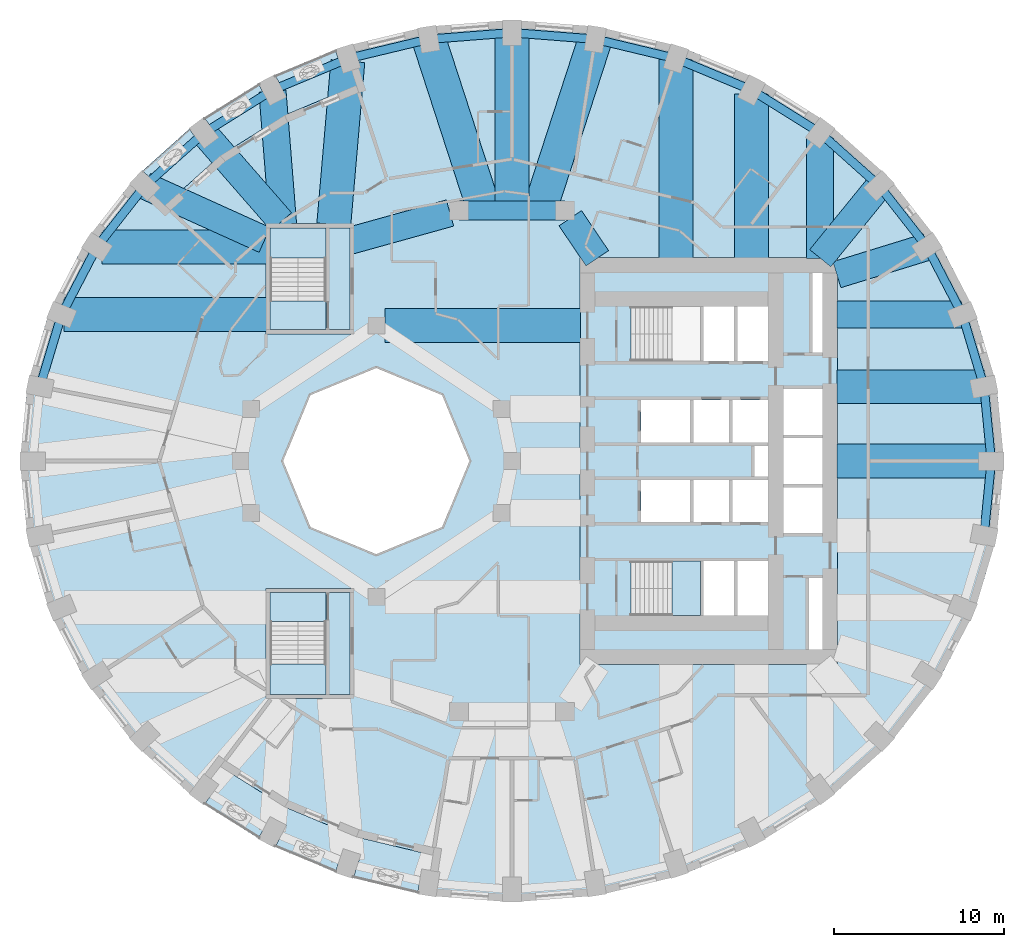
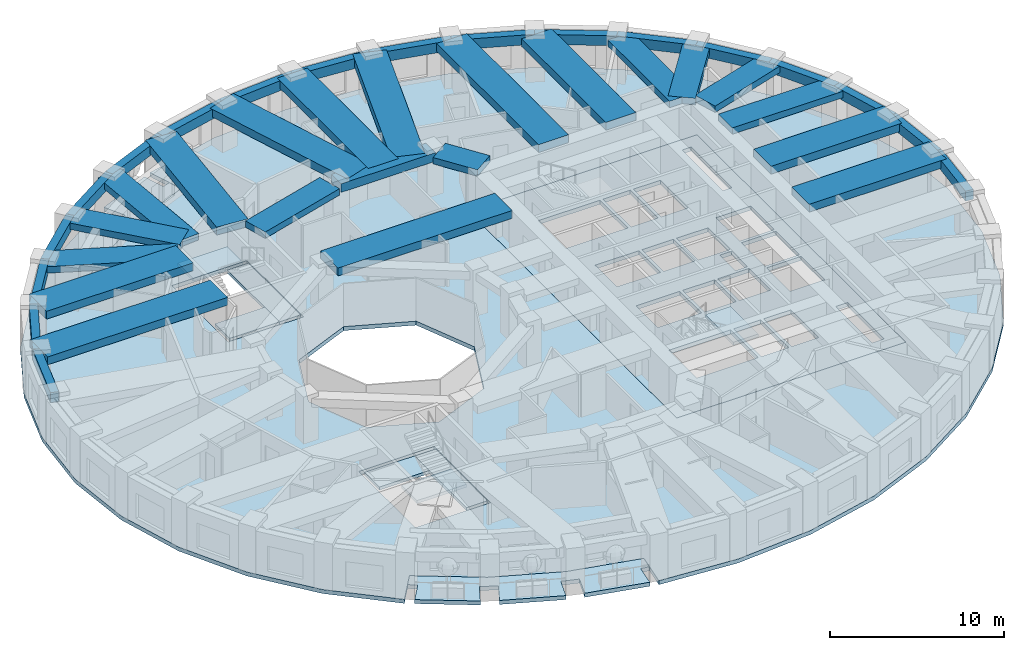
# One storey, part 2 of 13: 39 beams, 11 slabs, 3 elements without a shape of their own.
"""IFC4 building model written with IfcOpenShell, lengths in metres."""

from ifc_helpers import new_model, si_unit, direction, frame, origin, origin_2d, place, context, subcontext, project, spatial, polyline, rectangle, outline, extrude, material, layer, layer_set, material_profile, profile_set, type_object, element, aggregate, save


model = new_model("IFC4")

# Units and contexts
model_context = context("Model", 3, precision=1e-05, world=origin(), true_north=direction((0.0, 1.0)))
body_context = subcontext(model_context, "Body", "Model", "MODEL_VIEW")
ifc_project = project(units=[si_unit("LENGTHUNIT", "METRE"), si_unit("AREAUNIT", "SQUARE_METRE"), si_unit("VOLUMEUNIT", "CUBIC_METRE"), si_unit("PLANEANGLEUNIT", "RADIAN"), si_unit("MASSUNIT", "GRAM", prefix="KILO")], contexts=[model_context])

# Site, building, storey
site_placement = place(None, origin())
site = spatial("IfcSite", under=ifc_project, at=site_placement, CompositionType="ELEMENT")
building_placement = place(site_placement, origin())
building = spatial("IfcBuilding", under=site, at=building_placement, Name="Taillehof Tower", CompositionType="ELEMENT")
storey_placement = place(building_placement, frame((0.0, 0.0, 41.5)))
storey = spatial("IfcBuildingStorey", under=building, at=storey_placement, Name="L10", CompositionType="ELEMENT", Elevation=41.5)

# Beams
ifc_material_1 = material(Name="Concrete C50/60", Category="concrete")
ifc_material_profile_1 = material_profile(ifc_material_1, rectangle(XDim=1.10009765625, YDim=0.60009765625, at=origin_2d()), Name="RC 1100x600")
ifc_profile_set_1 = profile_set([ifc_material_profile_1], Name="Concrete C50/60")
beam_type_1 = type_object("IfcBeamType", Name="Mid-ring beam C50/60 1100x600", PredefinedType="BEAM", material=ifc_profile_set_1)
beam_1_placement = place(storey_placement, frame((3.125732421875, 14.772216796875, 2.719970703125), z_axis=(-1.0, 0.0, 0.0), x_axis=(0.0, -1.0, 0.0)))
element("IfcBeam", 1, at=beam_1_placement, inside=storey, type_object=beam_type_1, Name="Mid-ring beam MB01", PredefinedType="BEAM", context=body_context, shape_type="SweptSolid", body=[
    extrude(rectangle(XDim=1.10009765625, YDim=0.60009765625, at=origin_2d()), origin(), (0.0, 0.0, 1.0), 6.25146484375),
])
ifc_material_2 = material(Name="Concrete C50/60", Category="concrete")
ifc_material_profile_2 = material_profile(ifc_material_2, rectangle(XDim=1.60009765625, YDim=0.449951171875, at=origin_2d()), Name="RC 1600x450")
ifc_profile_set_2 = profile_set([ifc_material_profile_2], Name="Concrete C50/60")
beam_type_2 = type_object("IfcBeamType", Name="Radial band beam C50/60 1600x450", PredefinedType="BEAM", material=ifc_profile_set_2)
beam_2_placement = place(storey_placement, frame((26.490478515625, 8.635986328125, 2.794921875), z_axis=(-1.0, 0.0, 0.0), x_axis=(0.0, -1.0, 0.0)))
element("IfcBeam", 2, at=beam_2_placement, inside=storey, type_object=beam_type_2, Name="Radial band beam RB03", PredefinedType="BEAM", context=body_context, shape_type="SweptSolid", body=[
    extrude(rectangle(XDim=1.60009765625, YDim=0.449951171875, at=origin_2d()), origin(), (0.0, 0.0, 1.0), 7.340576171875),
])
beam_3_placement = place(storey_placement, frame((24.46533203125, 12.625, 2.794921875), z_axis=(-0.955535654338, -0.294875589511, 0.0), x_axis=(0.294875589511, -0.955535654338, 0.0)))
element("IfcBeam", 3, at=beam_3_placement, inside=storey, type_object=beam_type_2, Name="Radial band beam RB04", PredefinedType="BEAM", context=body_context, shape_type="SweptSolid", body=[
    extrude(rectangle(XDim=1.60009765625, YDim=0.449951171875, at=origin_2d()), origin(), (0.0, 0.0, 1.0), 5.560546875),
])
beam_4_placement = place(storey_placement, frame((21.640869140625, 16.23046875, 2.794921875), z_axis=(-0.630988373846, -0.775792286679, 0.0), x_axis=(0.775792286679, -0.630988373846, 0.0)))
element("IfcBeam", 4, at=beam_4_placement, inside=storey, type_object=beam_type_2, Name="Radial band beam RB05", PredefinedType="BEAM", context=body_context, shape_type="SweptSolid", body=[
    extrude(rectangle(XDim=1.60009765625, YDim=0.449951171875, at=origin_2d()), origin(), (0.0, 0.0, 1.0), 5.503173828125),
])
beam_5_placement = place(storey_placement, frame((18.15869140625, 19.05517578125, 2.794921875), z_axis=(0.0, -1.0, 0.0), x_axis=(1.0, 0.0, 0.0)))
element("IfcBeam", 5, at=beam_5_placement, inside=storey, type_object=beam_type_2, Name="Radial band beam RB06", PredefinedType="BEAM", context=body_context, shape_type="SweptSolid", body=[
    extrude(rectangle(XDim=1.60009765625, YDim=0.449951171875, at=origin_2d()), origin(), (0.0, 0.0, 1.0), 7.105224609375),
])
beam_6_placement = place(storey_placement, frame((-14.119873046875, 21.802978515625, 2.794921875), z_axis=(0.079184740988, -0.996859958467, 0.0), x_axis=(0.996859958467, 0.079184740988, 0.0)))
element("IfcBeam", 6, at=beam_6_placement, inside=storey, type_object=beam_type_2, Name="Radial band beam RB13", PredefinedType="BEAM", context=body_context, shape_type="SweptSolid", body=[
    extrude(rectangle(XDim=1.60009765625, YDim=0.449951171875, at=origin_2d()), origin(), (0.0, 0.0, 1.0), 7.87744140625),
])
beam_7_placement = place(storey_placement, frame((-18.15869140625, 19.342529296875, 2.794921875), z_axis=(0.65721824087, -0.753700327628, 0.0), x_axis=(0.753700327628, 0.65721824087, 0.0)))
element("IfcBeam", 7, at=beam_7_placement, inside=storey, type_object=beam_type_2, Name="Radial band beam RB14", PredefinedType="BEAM", context=body_context, shape_type="SweptSolid", body=[
    extrude(rectangle(XDim=1.60009765625, YDim=0.449951171875, at=origin_2d()), origin(), (0.0, 0.0, 1.0), 6.9384765625),
])
beam_8_placement = place(storey_placement, frame((-21.632568359375, 16.226806640625, 2.794921875), z_axis=(0.911100590789, -0.412184077161, 0.0), x_axis=(0.412184077161, 0.911100590789, 0.0)))
element("IfcBeam", 8, at=beam_8_placement, inside=storey, type_object=beam_type_2, Name="Radial band beam RB15", PredefinedType="BEAM", context=body_context, shape_type="SweptSolid", body=[
    extrude(rectangle(XDim=1.60009765625, YDim=0.449951171875, at=origin_2d()), origin(), (0.0, 0.0, 1.0), 7.740966796875),
])
beam_9_placement = place(storey_placement, frame((3.433837890625, 14.31640625, 2.794921875), z_axis=(0.560112043398, -0.828416862962, 0.0), x_axis=(0.828416862962, 0.560112043398, 0.0)))
element("IfcBeam", 9, at=beam_9_placement, inside=storey, type_object=beam_type_2, Name="Inner band beam IB205", PredefinedType="BEAM", context=body_context, shape_type="SweptSolid", body=[
    extrude(rectangle(XDim=1.60009765625, YDim=0.449951171875, at=origin_2d()), origin(), (0.0, 0.0, 1.0), 2.84619140625),
])
beam_10_placement = place(storey_placement, frame((-3.655517578125, 14.624755859375, 2.794921875), z_axis=(-0.963459369536, -0.267854518821, 0.0), x_axis=(0.267854518821, -0.963459369536, 0.0)))
element("IfcBeam", 10, at=beam_10_placement, inside=storey, type_object=beam_type_2, Name="Inner band beam IB206", PredefinedType="BEAM", context=body_context, shape_type="SweptSolid", body=[
    extrude(rectangle(XDim=1.60009765625, YDim=0.449951171875, at=origin_2d()), origin(), (0.0, 0.0, 1.0), 6.096923828125),
])
ifc_material_3 = material(Name="Concrete C50/60", Category="concrete")
ifc_material_profile_3 = material_profile(ifc_material_3, rectangle(XDim=2.0, YDim=0.550048828125, at=origin_2d()), Name="RC 2000x550")
ifc_profile_set_3 = profile_set([ifc_material_profile_3], Name="Concrete C50/60")
beam_type_3 = type_object("IfcBeamType", Name="Radial band beam C50/60 2000x550", PredefinedType="BEAM", material=ifc_profile_set_3)
beam_11_placement = place(storey_placement, frame((28.25, 0.0, 2.7451171875), z_axis=(-1.0, 0.0, 0.0), x_axis=(0.0, -1.0, 0.0)))
element("IfcBeam", 11, at=beam_11_placement, inside=storey, type_object=beam_type_3, Name="Radial band beam RB01", PredefinedType="BEAM", context=body_context, shape_type="SweptSolid", body=[
    extrude(rectangle(XDim=2.0, YDim=0.550048828125, at=origin_2d()), origin(), (0.0, 0.0, 1.0), 9.10009765625),
])
beam_12_placement = place(storey_placement, frame((27.82080078125, 4.384521484375, 2.7451171875), z_axis=(-1.0, 0.0, 0.0), x_axis=(0.0, -1.0, 0.0)))
element("IfcBeam", 12, at=beam_12_placement, inside=storey, type_object=beam_type_3, Name="Radial band beam RB02", PredefinedType="BEAM", context=body_context, shape_type="SweptSolid", body=[
    extrude(rectangle(XDim=2.0, YDim=0.550048828125, at=origin_2d()), origin(), (0.0, 0.0, 1.0), 8.6708984375),
])
beam_13_placement = place(storey_placement, frame((14.125, 21.63232421875, 2.7451171875), z_axis=(0.0, -1.0, 0.0), x_axis=(1.0, 0.0, 0.0)))
element("IfcBeam", 13, at=beam_13_placement, inside=storey, type_object=beam_type_3, Name="Radial band beam RB07", PredefinedType="BEAM", context=body_context, shape_type="SweptSolid", body=[
    extrude(rectangle(XDim=2.0, YDim=0.550048828125, at=origin_2d()), origin(), (0.0, 0.0, 1.0), 9.682373046875),
])
beam_14_placement = place(storey_placement, frame((9.662109375, 23.664794921875, 2.7451171875), z_axis=(0.0, -1.0, 0.0), x_axis=(1.0, 0.0, 0.0)))
element("IfcBeam", 14, at=beam_14_placement, inside=storey, type_object=beam_type_3, Name="Radial band beam RB08", PredefinedType="BEAM", context=body_context, shape_type="SweptSolid", body=[
    extrude(rectangle(XDim=2.0, YDim=0.550048828125, at=origin_2d()), origin(), (0.0, 0.0, 1.0), 11.71484375),
])
beam_15_placement = place(storey_placement, frame((4.905517578125, 24.866455078125, 2.7451171875), z_axis=(-0.309014294595, -0.951057393503, 0.0), x_axis=(0.951057393503, -0.309014294595, 0.0)))
element("IfcBeam", 15, at=beam_15_placement, inside=storey, type_object=beam_type_3, Name="Radial band beam RB09", PredefinedType="BEAM", context=body_context, shape_type="SweptSolid", body=[
    extrude(rectangle(XDim=2.0, YDim=0.550048828125, at=origin_2d()), origin(), (0.0, 0.0, 1.0), 10.61376953125),
])
beam_16_placement = place(storey_placement, frame((0.0, 25.25, 2.7451171875), z_axis=(0.0, -1.0, 0.0), x_axis=(1.0, 0.0, 0.0)))
element("IfcBeam", 16, at=beam_16_placement, inside=storey, type_object=beam_type_3, Name="Radial band beam RB10", PredefinedType="BEAM", context=body_context, shape_type="SweptSolid", body=[
    extrude(rectangle(XDim=2.0, YDim=0.550048828125, at=origin_2d()), origin(), (0.0, 0.0, 1.0), 10.477783203125),
])
beam_17_placement = place(storey_placement, frame((-4.905517578125, 24.866455078125, 2.7451171875), z_axis=(0.309014294595, -0.951057393503, 0.0), x_axis=(0.951057393503, 0.309014294595, 0.0)))
element("IfcBeam", 17, at=beam_17_placement, inside=storey, type_object=beam_type_3, Name="Radial band beam RB11", PredefinedType="BEAM", context=body_context, shape_type="SweptSolid", body=[
    extrude(rectangle(XDim=2.0, YDim=0.550048828125, at=origin_2d()), origin(), (0.0, 0.0, 1.0), 10.61376953125),
])
beam_18_placement = place(storey_placement, frame((-9.675048828125, 23.575927734375, 2.7451171875), z_axis=(-0.085841202752, -0.996308831593, 0.0), x_axis=(0.996308831593, -0.085841202752, 0.0)))
element("IfcBeam", 18, at=beam_18_placement, inside=storey, type_object=beam_type_3, Name="Radial band beam RB12", PredefinedType="BEAM", context=body_context, shape_type="SweptSolid", body=[
    extrude(rectangle(XDim=2.0, YDim=0.550048828125, at=origin_2d()), origin(), (0.0, 0.0, 1.0), 9.661376953125),
])
beam_19_placement = place(storey_placement, frame((-24.172607421875, 12.625, 2.7451171875), z_axis=(1.0, 0.0, 0.0), x_axis=(0.0, 1.0, 0.0)))
element("IfcBeam", 19, at=beam_19_placement, inside=storey, type_object=beam_type_3, Name="Radial band beam RB16", PredefinedType="BEAM", context=body_context, shape_type="SweptSolid", body=[
    extrude(rectangle(XDim=2.0, YDim=0.550048828125, at=origin_2d()), origin(), (0.0, 0.0, 1.0), 9.72265625),
])
beam_20_placement = place(storey_placement, frame((-26.408935546875, 8.635986328125, 2.7451171875), z_axis=(1.0, 0.0, 0.0), x_axis=(0.0, 1.0, 0.0)))
element("IfcBeam", 20, at=beam_20_placement, inside=storey, type_object=beam_type_3, Name="Radial band beam RB17", PredefinedType="BEAM", context=body_context, shape_type="SweptSolid", body=[
    extrude(rectangle(XDim=2.0, YDim=0.550048828125, at=origin_2d()), origin(), (0.0, 0.0, 1.0), 11.958984375),
])
beam_21_placement = place(storey_placement, frame((-7.5, 8.0, 2.7451171875), z_axis=(1.0, 0.0, 0.0), x_axis=(0.0, 1.0, 0.0)))
element("IfcBeam", 21, at=beam_21_placement, inside=storey, type_object=beam_type_3, Name="Inner band beam IB105", PredefinedType="BEAM", context=body_context, shape_type="SweptSolid", body=[
    extrude(rectangle(XDim=2.0, YDim=0.550048828125, at=origin_2d()), origin(), (0.0, 0.0, 1.0), 11.550048828125),
])
ifc_material_4 = material(Name="Concrete C50/60", Category="concrete")
ifc_material_profile_4 = material_profile(ifc_material_4, rectangle(XDim=0.5, YDim=0.699951171875, at=origin_2d()), Name="RC 500x700")
ifc_profile_set_4 = profile_set([ifc_material_profile_4], Name="Concrete C50/60")
beam_type_4 = type_object("IfcBeamType", Name="Spandrel beam C50/60 500x700", PredefinedType="SPANDREL", material=ifc_profile_set_4)
beam_22_placement = place(storey_placement, frame((28.25, 0.0, 2.669921875), z_axis=(-0.097423973567, 0.99524297002, 0.0), x_axis=(-0.99524297002, -0.097423973567, 0.0)))
element("IfcBeam", 22, at=beam_22_placement, inside=storey, type_object=beam_type_4, Name="Spandrel beam SB01", PredefinedType="SPANDREL", context=body_context, shape_type="SweptSolid", body=[
    extrude(rectangle(XDim=0.5, YDim=0.699951171875, at=origin_2d()), origin(), (0.0, 0.0, 1.0), 4.405517578125),
])
beam_23_placement = place(storey_placement, frame((27.82080078125, 4.384521484375, 2.669921875), z_axis=(-0.287135925407, 0.957889847707, 0.0), x_axis=(-0.957889847707, -0.287135925407, 0.0)))
element("IfcBeam", 23, at=beam_23_placement, inside=storey, type_object=beam_type_4, Name="Spandrel beam SB02", PredefinedType="SPANDREL", context=body_context, shape_type="SweptSolid", body=[
    extrude(rectangle(XDim=0.5, YDim=0.699951171875, at=origin_2d()), origin(), (0.0, 0.0, 1.0), 4.4384765625),
])
beam_24_placement = place(storey_placement, frame((26.54638671875, 8.635986328125, 2.669921875), z_axis=(-0.462536335232, 0.886600326297, 0.0), x_axis=(-0.886600326297, -0.462536335232, 0.0)))
element("IfcBeam", 24, at=beam_24_placement, inside=storey, type_object=beam_type_4, Name="Spandrel beam SB03", PredefinedType="SPANDREL", context=body_context, shape_type="SweptSolid", body=[
    extrude(rectangle(XDim=0.5, YDim=0.699951171875, at=origin_2d()), origin(), (0.0, 0.0, 1.0), 4.499267578125),
])
beam_25_placement = place(storey_placement, frame((24.46533203125, 12.625, 2.669921875), z_axis=(-0.616686200373, 0.787209076593, 0.0), x_axis=(-0.787209076593, -0.616686200373, 0.0)))
element("IfcBeam", 25, at=beam_25_placement, inside=storey, type_object=beam_type_4, Name="Spandrel beam SB04", PredefinedType="SPANDREL", context=body_context, shape_type="SweptSolid", body=[
    extrude(rectangle(XDim=0.5, YDim=0.699951171875, at=origin_2d()), origin(), (0.0, 0.0, 1.0), 4.580078125),
])
beam_26_placement = place(storey_placement, frame((21.640869140625, 16.23046875, 2.669921875), z_axis=(-0.745621283614, 0.666369943366, 0.0), x_axis=(-0.666369943366, -0.745621283614, 0.0)))
element("IfcBeam", 26, at=beam_26_placement, inside=storey, type_object=beam_type_4, Name="Spandrel beam SB05", PredefinedType="SPANDREL", context=body_context, shape_type="SweptSolid", body=[
    extrude(rectangle(XDim=0.5, YDim=0.699951171875, at=origin_2d()), origin(), (0.0, 0.0, 1.0), 4.670166015625),
])
beam_27_placement = place(storey_placement, frame((18.15869140625, 19.342529296875, 2.669921875), z_axis=(-0.847658018883, 0.530543007703, 0.0), x_axis=(-0.530543007703, -0.847658018883, 0.0)))
element("IfcBeam", 27, at=beam_27_placement, inside=storey, type_object=beam_type_4, Name="Spandrel beam SB06", PredefinedType="SPANDREL", context=body_context, shape_type="SweptSolid", body=[
    extrude(rectangle(XDim=0.5, YDim=0.699951171875, at=origin_2d()), origin(), (0.0, 0.0, 1.0), 4.758544921875),
])
beam_28_placement = place(storey_placement, frame((14.125, 21.8671875, 2.669921875), z_axis=(-0.923035088053, 0.384715773297, 0.0), x_axis=(-0.384715773297, -0.923035088053, 0.0)))
element("IfcBeam", 28, at=beam_28_placement, inside=storey, type_object=beam_type_4, Name="Spandrel beam SB07", PredefinedType="SPANDREL", context=body_context, shape_type="SweptSolid", body=[
    extrude(rectangle(XDim=0.5, YDim=0.699951171875, at=origin_2d()), origin(), (0.0, 0.0, 1.0), 4.8349609375),
])
beam_29_placement = place(storey_placement, frame((9.662109375, 23.727294921875, 2.669921875), z_axis=(-0.9724995553, 0.232904733616, 0.0), x_axis=(-0.232904733616, -0.9724995553, 0.0)))
element("IfcBeam", 29, at=beam_29_placement, inside=storey, type_object=beam_type_4, Name="Spandrel beam SB08", PredefinedType="SPANDREL", context=body_context, shape_type="SweptSolid", body=[
    extrude(rectangle(XDim=0.5, YDim=0.699951171875, at=origin_2d()), origin(), (0.0, 0.0, 1.0), 4.89111328125),
])
for number, where, z_axis, x_axis, name in (
    (30, (4.905517578125, 24.866455078125, 2.669921875), (-0.996957383661, 0.077948541767, 0.0), (-0.077948541767, -0.996957383661, 0.0), "Spandrel beam SB09"),
    (31, (0.0, 25.25, 2.669921875), (-0.996957383661, -0.077948541767, 0.0), (0.077948541767, -0.996957383661, 0.0), "Spandrel beam SB10"),
):
    element("IfcBeam", number, at=place(storey_placement, frame(where, z_axis=z_axis, x_axis=x_axis)), inside=storey, type_object=beam_type_4, Name=name, PredefinedType="SPANDREL", context=body_context, shape_type="SweptSolid", body=[
        extrude(rectangle(XDim=0.5, YDim=0.699951171875, at=origin_2d()), origin(), (0.0, 0.0, 1.0), 4.92041015625),
    ])
beam_30_placement = place(storey_placement, frame((-4.905517578125, 24.866455078125, 2.669921875), z_axis=(-0.9724995553, -0.232904733616, 0.0), x_axis=(0.232904733616, -0.9724995553, 0.0)))
element("IfcBeam", 32, at=beam_30_placement, inside=storey, type_object=beam_type_4, Name="Spandrel beam SB11", PredefinedType="SPANDREL", context=body_context, shape_type="SweptSolid", body=[
    extrude(rectangle(XDim=0.5, YDim=0.699951171875, at=origin_2d()), origin(), (0.0, 0.0, 1.0), 4.89111328125),
])
beam_31_placement = place(storey_placement, frame((-9.662109375, 23.727294921875, 2.669921875), z_axis=(-0.923035088053, -0.384715773297, 0.0), x_axis=(0.384715773297, -0.923035088053, 0.0)))
element("IfcBeam", 33, at=beam_31_placement, inside=storey, type_object=beam_type_4, Name="Spandrel beam SB12", PredefinedType="SPANDREL", context=body_context, shape_type="SweptSolid", body=[
    extrude(rectangle(XDim=0.5, YDim=0.699951171875, at=origin_2d()), origin(), (0.0, 0.0, 1.0), 4.8349609375),
])
beam_32_placement = place(storey_placement, frame((-14.125, 21.8671875, 2.669921875), z_axis=(-0.847658018883, -0.530543007703, 0.0), x_axis=(0.530543007703, -0.847658018883, 0.0)))
element("IfcBeam", 34, at=beam_32_placement, inside=storey, type_object=beam_type_4, Name="Spandrel beam SB13", PredefinedType="SPANDREL", context=body_context, shape_type="SweptSolid", body=[
    extrude(rectangle(XDim=0.5, YDim=0.699951171875, at=origin_2d()), origin(), (0.0, 0.0, 1.0), 4.758544921875),
])
beam_33_placement = place(storey_placement, frame((-18.15869140625, 19.342529296875, 2.669921875), z_axis=(-0.745621283614, -0.666369943366, 0.0), x_axis=(0.666369943366, -0.745621283614, 0.0)))
element("IfcBeam", 35, at=beam_33_placement, inside=storey, type_object=beam_type_4, Name="Spandrel beam SB14", PredefinedType="SPANDREL", context=body_context, shape_type="SweptSolid", body=[
    extrude(rectangle(XDim=0.5, YDim=0.699951171875, at=origin_2d()), origin(), (0.0, 0.0, 1.0), 4.670166015625),
])
beam_34_placement = place(storey_placement, frame((-21.640869140625, 16.23046875, 2.669921875), z_axis=(-0.616686200373, -0.787209076593, 0.0), x_axis=(0.787209076593, -0.616686200373, 0.0)))
element("IfcBeam", 36, at=beam_34_placement, inside=storey, type_object=beam_type_4, Name="Spandrel beam SB15", PredefinedType="SPANDREL", context=body_context, shape_type="SweptSolid", body=[
    extrude(rectangle(XDim=0.5, YDim=0.699951171875, at=origin_2d()), origin(), (0.0, 0.0, 1.0), 4.580078125),
])
beam_35_placement = place(storey_placement, frame((-24.46533203125, 12.625, 2.669921875), z_axis=(-0.462536335232, -0.886600326297, 0.0), x_axis=(0.886600326297, -0.462536335232, 0.0)))
element("IfcBeam", 37, at=beam_35_placement, inside=storey, type_object=beam_type_4, Name="Spandrel beam SB16", PredefinedType="SPANDREL", context=body_context, shape_type="SweptSolid", body=[
    extrude(rectangle(XDim=0.5, YDim=0.699951171875, at=origin_2d()), origin(), (0.0, 0.0, 1.0), 4.499267578125),
])
beam_36_placement = place(storey_placement, frame((-26.54638671875, 8.635986328125, 2.669921875), z_axis=(-0.287135925407, -0.957889847707, 0.0), x_axis=(0.957889847707, -0.287135925407, 0.0)))
element("IfcBeam", 38, at=beam_36_placement, inside=storey, type_object=beam_type_4, Name="Spandrel beam SB17", PredefinedType="SPANDREL", context=body_context, shape_type="SweptSolid", body=[
    extrude(rectangle(XDim=0.5, YDim=0.699951171875, at=origin_2d()), origin(), (0.0, 0.0, 1.0), 4.4384765625),
])
beam_37_placement = place(storey_placement, frame((27.82080078125, -4.384521484375, 2.669921875), z_axis=(0.097423973567, 0.99524297002, 0.0), x_axis=(-0.99524297002, 0.097423973567, 0.0)))
element("IfcBeam", 39, at=beam_37_placement, inside=storey, type_object=beam_type_4, Name="Spandrel beam SB36", PredefinedType="SPANDREL", context=body_context, shape_type="SweptSolid", body=[
    extrude(rectangle(XDim=0.5, YDim=0.699951171875, at=origin_2d()), origin(), (0.0, 0.0, 1.0), 4.405517578125),
])

# Slabs
ifc_material_5 = material(Name="Concrete C40/50", Category="concrete")
ifc_layer_1 = layer(ifc_material_5, 0.280029296875)
ifc_layer_set_1 = layer_set([ifc_layer_1], Name="Balcony slab 280")
slab_type_1 = type_object("IfcSlabType", Name="Balcony slab 280", PredefinedType="USERDEFINED", material=ifc_layer_set_1)
slab_1_placement = place(storey_placement, frame((0.0, 0.0, -0.280029296875)))
element("IfcSlab", 40, at=slab_1_placement, inside=storey, type_object=slab_type_1, Name="Balcony L10 pocket 7", ObjectType="BALCONY", PredefinedType="USERDEFINED", context=body_context, shape_type="SweptSolid", body=[
    extrude(outline(polyline([(-4.6611328125, -23.234375), (-4.801513671875, -24.12353515625), (-5.331787109375, -24.039794921875), (-5.559326171875, -25.479248046875), (-9.357421875, -24.56689453125), (-8.906494140625, -23.184814453125), (-9.9521484375, -22.843505859375), (-10.404296875, -24.22900390625), (-13.958984375, -22.742919921875), (-13.291748046875, -21.453857421875), (-14.2685546875, -20.9482421875), (-14.938232421875, -22.24169921875), (-18.139404296875, -20.23193359375), (-17.268310546875, -19.073974609375), (-17.73974609375, -18.71923828125), (-17.197998046875, -17.999267578125), (-13.396728515625, -20.38525390625), (-9.174072265625, -22.150390625), (-4.6611328125, -23.234375)])), origin(), (0.0, 0.0, 1.0), 0.280029296875),
])
slab_2_placement = place(storey_placement, frame((0.0, 0.0, -0.280029296875)))
element("IfcSlab", 41, at=slab_2_placement, inside=storey, type_object=slab_type_1, Name="Balcony L10 pocket 3", ObjectType="BALCONY", PredefinedType="USERDEFINED", context=body_context, shape_type="SweptSolid", body=[
    extrude(outline(polyline([(-20.463134765625, 15.072509765625), (-21.120849609375, 15.688232421875), (-20.71728515625, 16.119384765625), (-21.77392578125, 17.108154296875), (-19.02197265625, 19.575439453125), (-18.1474609375, 18.41259765625), (-17.268310546875, 19.073974609375), (-18.139404296875, 20.23193359375), (-14.938232421875, 22.24169921875), (-14.2685546875, 20.9482421875), (-13.291748046875, 21.453857421875), (-13.958984375, 22.742919921875), (-10.404296875, 24.22900390625), (-9.9521484375, 22.843505859375), (-9.453369140625, 23.00634765625), (-9.174072265625, 22.150390625), (-13.396728515625, 20.38525390625), (-17.197998046875, 17.999267578125), (-20.463134765625, 15.072509765625)])), origin(), (0.0, 0.0, 1.0), 0.280029296875),
])
ifc_material_6 = material(Name="Concrete C40/50", Category="concrete")
ifc_layer_2 = layer(ifc_material_6, 0.280029296875)
ifc_layer_set_2 = layer_set([ifc_layer_2], Name="Core floor slab C40/50 280")
slab_type_2 = type_object("IfcSlabType", Name="Core floor slab C40/50 280", PredefinedType="FLOOR", material=ifc_layer_set_2)
slab_3_placement = place(storey_placement, frame((0.0, 0.0, -0.280029296875)))
element("IfcSlab", 42, at=slab_3_placement, inside=storey, type_object=slab_type_2, Name="Core floor L10", PredefinedType="FLOOR", context=body_context, shape_type="SweptSolid", body=[
    extrude(outline(polyline([(4.0, -12.0), (4.0, 12.0), (19.199951171875, 12.0), (19.199951171875, -12.0), (4.0, -12.0)]), holes=[polyline([(7.00048828125, -9.10009765625), (11.10009765625, -9.10009765625), (11.10009765625, -5.89990234375), (7.00048828125, -5.89990234375), (7.00048828125, -9.10009765625)]), polyline([(13.10009765625, -9.10009765625), (13.10009765625, -5.89990234375), (11.300048828125, -5.89990234375), (11.300048828125, -9.10009765625), (13.10009765625, -9.10009765625)]), polyline([(10.5, -3.60009765625), (10.5, -1.10009765625), (7.60009765625, -1.10009765625), (7.60009765625, -3.60009765625), (10.5, -3.60009765625)]), polyline([(12.800048828125, -3.60009765625), (12.800048828125, -1.10009765625), (10.699951171875, -1.10009765625), (10.699951171875, -3.60009765625), (12.800048828125, -3.60009765625)]), polyline([(10.5, 1.10009765625), (10.5, 3.60009765625), (7.60009765625, 3.60009765625), (7.60009765625, 1.10009765625), (10.5, 1.10009765625)]), polyline([(12.800048828125, 1.10009765625), (12.800048828125, 3.60009765625), (10.699951171875, 3.60009765625), (10.699951171875, 1.10009765625), (12.800048828125, 1.10009765625)]), polyline([(15.10009765625, 1.10009765625), (15.10009765625, 3.60009765625), (13.0, 3.60009765625), (13.0, 1.10009765625), (15.10009765625, 1.10009765625)]), polyline([(11.300048828125, 5.89990234375), (13.10009765625, 5.89990234375), (13.10009765625, 9.10009765625), (11.300048828125, 9.10009765625), (11.300048828125, 5.89990234375)]), polyline([(7.00048828125, 5.89990234375), (11.10009765625, 5.89990234375), (11.10009765625, 9.10009765625), (7.00048828125, 9.10009765625), (7.00048828125, 5.89990234375)]), polyline([(18.300048828125, -11.10009765625), (18.300048828125, -6.89990234375), (17.5, -6.89990234375), (17.5, -11.10009765625), (18.300048828125, -11.10009765625)]), polyline([(15.10009765625, -9.10009765625), (15.10009765625, -5.89990234375), (13.300048828125, -5.89990234375), (13.300048828125, -9.10009765625), (15.10009765625, -9.10009765625)]), polyline([(18.300048828125, -4.25), (18.300048828125, -1.550048828125), (16.0, -1.550048828125), (16.0, -4.25), (18.300048828125, -4.25)]), polyline([(15.10009765625, -3.60009765625), (15.10009765625, -1.10009765625), (13.0, -1.10009765625), (13.0, -3.60009765625), (15.10009765625, -3.60009765625)]), polyline([(15.10009765625, -0.89990234375), (15.10009765625, 0.89990234375), (14.300048828125, 0.89990234375), (14.300048828125, -0.89990234375), (15.10009765625, -0.89990234375)]), polyline([(18.300048828125, -1.35009765625), (18.300048828125, 1.35009765625), (16.0, 1.35009765625), (16.0, -1.35009765625), (18.300048828125, -1.35009765625)]), polyline([(18.300048828125, 1.550048828125), (18.300048828125, 4.25), (16.0, 4.25), (16.0, 1.550048828125), (18.300048828125, 1.550048828125)]), polyline([(13.300048828125, 5.89990234375), (15.10009765625, 5.89990234375), (15.10009765625, 9.10009765625), (13.300048828125, 9.10009765625), (13.300048828125, 5.89990234375)]), polyline([(17.699951171875, 6.39990234375), (18.300048828125, 6.39990234375), (18.300048828125, 11.10009765625), (17.699951171875, 11.10009765625), (17.699951171875, 6.39990234375)])]), origin(), (0.0, 0.0, 1.0), 0.280029296875),
])
ifc_material_7 = material(Name="Concrete C40/50", Category="concrete")
ifc_layer_3 = layer(ifc_material_7, 0.280029296875)
ifc_layer_set_3 = layer_set([ifc_layer_3], Name="Floor slab 280")
slab_type_3 = type_object("IfcSlabType", Name="Floor slab 280", PredefinedType="FLOOR", material=ifc_layer_set_3)
slab_4_placement = place(storey_placement, frame((0.0, 0.0, -0.280029296875)))
element("IfcSlab", 43, at=slab_4_placement, inside=storey, type_object=slab_type_3, Name="Floor slab L10", PredefinedType="FLOOR", context=body_context, shape_type="SweptSolid", body=[
    extrude(outline(polyline([(29.0, 0.0), (28.559326171875, 4.514892578125), (27.251220703125, 8.892578125), (25.11474609375, 13.0), (22.21533203125, 16.71240234375), (18.640869140625, 19.917236328125), (14.5, 22.5166015625), (9.918701171875, 24.431884765625), (5.035888671875, 25.60498046875), (0.0, 26.0), (-5.035888671875, 25.60498046875), (-9.918701171875, 24.431884765625), (-9.174072265625, 22.150390625), (-13.396728515625, 20.38525390625), (-17.197998046875, 17.999267578125), (-20.462890625, 15.072509765625), (-22.21533203125, 16.71240234375), (-25.11474609375, 13.0), (-27.251220703125, 8.892578125), (-28.559326171875, 4.514892578125), (-29.0, 0.0), (-28.559326171875, -4.514892578125), (-27.251220703125, -8.892578125), (-25.11474609375, -13.0), (-22.21533203125, -16.71240234375), (-18.640869140625, -19.917236328125), (-17.197998046875, -17.999267578125), (-13.396728515625, -20.38525390625), (-9.174072265625, -22.150390625), (-4.660888671875, -23.234375), (-5.035888671875, -25.60498046875), (0.0, -26.0), (5.035888671875, -25.60498046875), (9.918701171875, -24.431884765625), (14.5, -22.5166015625), (18.640869140625, -19.917236328125), (22.21533203125, -16.71240234375), (25.11474609375, -13.0), (27.251220703125, -8.892578125), (28.559326171875, -4.514892578125), (29.0, 0.0)]), holes=[polyline([(-14.5, -7.5), (-9.5, -7.5), (-9.5, -14.0), (-14.5, -14.0), (-14.5, -7.5)]), polyline([(-8.0, -5.5), (-11.88916015625, -3.88916015625), (-13.5, 0.0), (-11.88916015625, 3.88916015625), (-8.0, 5.5), (-4.11083984375, 3.88916015625), (-2.5, 0.0), (-4.11083984375, -3.88916015625), (-8.0, -5.5)]), polyline([(19.199951171875, 12.0), (19.199951171875, -12.0), (4.0, -12.0), (4.0, 12.0), (19.199951171875, 12.0)]), polyline([(-14.5, 14.0), (-9.5, 14.0), (-9.5, 7.5), (-14.5, 7.5), (-14.5, 14.0)])]), origin(), (0.0, 0.0, 1.0), 0.280029296875),
])

# Stair, slab
ifc_material_8 = material(Name="Concrete C40/50", Category="concrete")
stair_type = type_object("IfcStairType", Name="Exit stair half-turn", PredefinedType="HALF_TURN_STAIR", material=ifc_material_8)
stair_1_placement = place(storey_placement, origin())
stair_1 = element("IfcStair", 44, at=stair_1_placement, inside=storey, type_object=stair_type, Name="Exit stair S2", PredefinedType="HALF_TURN_STAIR")
ifc_material_9 = material(Name="Concrete C40/50", Category="concrete")
ifc_layer_4 = layer(ifc_material_9, 0.2099609375)
ifc_layer_set_4 = layer_set([ifc_layer_4], Name="Stair landing C40/50 210")
slab_type_4 = type_object("IfcSlabType", Name="Stair landing C40/50 210", PredefinedType="LANDING", material=ifc_layer_set_4)
slab_5_placement = place(storey_placement, frame((0.0, 0.0, 1.43994140625)))
slab_5 = element("IfcSlab", 45, at=slab_5_placement, type_object=slab_type_4, Name="S2 landing 1", PredefinedType="LANDING", context=body_context, shape_type="SweptSolid", body=[
    extrude(outline(polyline([(9.429931640625, -5.89990234375), (11.10009765625, -5.89990234375), (11.10009765625, -9.10009765625), (9.429931640625, -9.10009765625), (9.429931640625, -5.89990234375)])), origin(), (0.0, 0.0, 1.0), 0.2099609375),
])
aggregate(stair_1, [slab_5])

stair_2_placement = place(storey_placement, origin())
stair_2 = element("IfcStair", 46, at=stair_2_placement, inside=storey, type_object=stair_type, Name="Exit stair S3", PredefinedType="HALF_TURN_STAIR")
slab_6_placement = place(storey_placement, frame((0.0, 0.0, 1.43994140625)))
slab_6 = element("IfcSlab", 47, at=slab_6_placement, type_object=slab_type_4, Name="S3 landing 1", PredefinedType="LANDING", context=body_context, shape_type="SweptSolid", body=[
    extrude(outline(polyline([(-14.25, 11.969970703125), (-14.25, 13.75), (-10.949951171875, 13.75), (-10.949951171875, 11.969970703125), (-14.25, 11.969970703125)])), origin(), (0.0, 0.0, 1.0), 0.2099609375),
])
aggregate(stair_2, [slab_6])

stair_3_placement = place(storey_placement, origin())
stair_3 = element("IfcStair", 48, at=stair_3_placement, inside=storey, type_object=stair_type, Name="Exit stair S4", PredefinedType="HALF_TURN_STAIR")
slab_7_placement = place(storey_placement, frame((0.0, 0.0, 1.43994140625)))
slab_7 = element("IfcSlab", 49, at=slab_7_placement, type_object=slab_type_4, Name="S4 landing 1", PredefinedType="LANDING", context=body_context, shape_type="SweptSolid", body=[
    extrude(outline(polyline([(-14.25, -11.969970703125), (-14.25, -13.75), (-10.949951171875, -13.75), (-10.949951171875, -11.969970703125), (-14.25, -11.969970703125)])), origin(), (0.0, 0.0, 1.0), 0.2099609375),
])
aggregate(stair_3, [slab_7])

# Slabs
slab_8_placement = place(storey_placement, frame((0.0, 0.0, -0.2099609375)))
element("IfcSlab", 50, at=slab_8_placement, inside=storey, type_object=slab_type_4, Name="Stair S3 floor landing", PredefinedType="LANDING", context=body_context, shape_type="SweptSolid", body=[
    extrude(outline(polyline([(-14.25, 7.75), (-14.25, 9.449951171875), (-10.949951171875, 9.449951171875), (-10.949951171875, 7.75), (-14.25, 7.75)])), origin(), (0.0, 0.0, 1.0), 0.2099609375),
])
slab_9_placement = place(storey_placement, frame((0.0, 0.0, -0.2099609375)))
element("IfcSlab", 51, at=slab_9_placement, inside=storey, type_object=slab_type_4, Name="Stair lobby S3 floor", PredefinedType="LANDING", context=body_context, shape_type="SweptSolid", body=[
    extrude(outline(polyline([(-10.949951171875, 7.75), (-9.550048828125, 7.75), (-9.550048828125, 13.75), (-10.949951171875, 13.75), (-10.949951171875, 7.75)])), origin(), (0.0, 0.0, 1.0), 0.2099609375),
])
slab_10_placement = place(storey_placement, frame((0.0, 0.0, -0.2099609375)))
element("IfcSlab", 52, at=slab_10_placement, inside=storey, type_object=slab_type_4, Name="Stair S4 floor landing", PredefinedType="LANDING", context=body_context, shape_type="SweptSolid", body=[
    extrude(outline(polyline([(-14.25, -7.75), (-14.25, -9.449951171875), (-10.949951171875, -9.449951171875), (-10.949951171875, -7.75), (-14.25, -7.75)])), origin(), (0.0, 0.0, 1.0), 0.2099609375),
])
slab_11_placement = place(storey_placement, frame((0.0, 0.0, -0.2099609375)))
element("IfcSlab", 53, at=slab_11_placement, inside=storey, type_object=slab_type_4, Name="Stair lobby S4 floor", PredefinedType="LANDING", context=body_context, shape_type="SweptSolid", body=[
    extrude(outline(polyline([(-10.949951171875, -13.75), (-9.550048828125, -13.75), (-9.550048828125, -7.75), (-10.949951171875, -7.75), (-10.949951171875, -13.75)])), origin(), (0.0, 0.0, 1.0), 0.2099609375),
])

save(model, "model.ifc")
